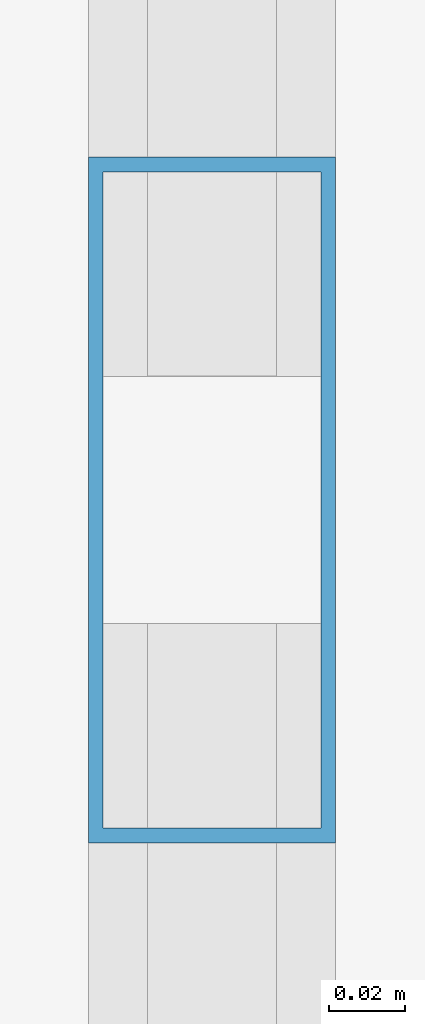
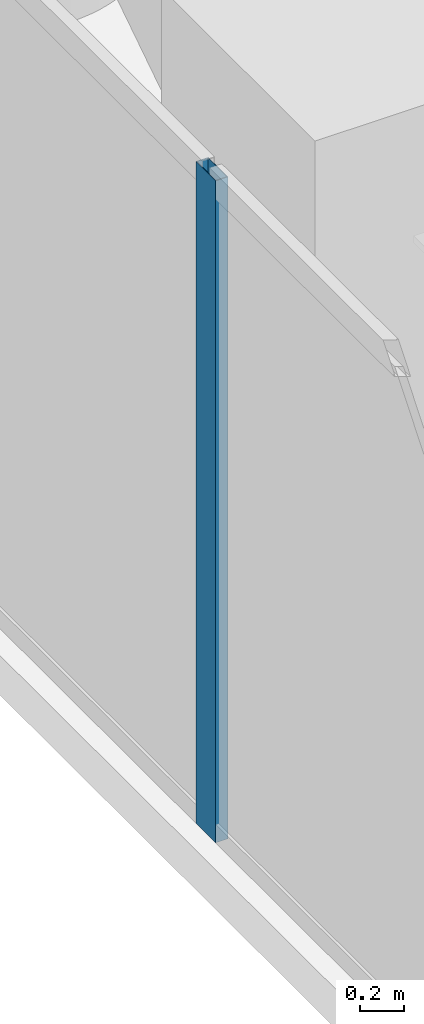
# One storey, part 13 of 31: 1 member, 1 element without a shape of its own.
"""IFC4 building model written with IfcOpenShell, lengths in metres."""

from ifc_helpers import new_model, si_unit, direction, frame, origin, origin_2d, place, context, subcontext, project, spatial, hollow_rectangle, extrude, material, layer, layer_set, material_profile, profile_set, type_object, element, aggregate, save


model = new_model("IFC4")

# Units and contexts
model_context = context("Model", 3, precision=1e-05, world=origin(), true_north=direction((0.0, 1.0)))
body_context = subcontext(model_context, "Body", "Model", "MODEL_VIEW")
ifc_project = project(units=[si_unit("LENGTHUNIT", "METRE"), si_unit("AREAUNIT", "SQUARE_METRE"), si_unit("VOLUMEUNIT", "CUBIC_METRE"), si_unit("PLANEANGLEUNIT", "RADIAN"), si_unit("MASSUNIT", "GRAM", prefix="KILO")], contexts=[model_context])

# Site, building, storey
site_placement = place(None, origin())
site = spatial("IfcSite", under=ifc_project, at=site_placement, CompositionType="ELEMENT")
building_placement = place(site_placement, origin())
building = spatial("IfcBuilding", under=site, at=building_placement, Name="Kiyonajd Concourse Tower", CompositionType="ELEMENT")
storey_placement = place(building_placement, frame((0.0, 0.0, 158.39990234375)))
storey = spatial("IfcBuildingStorey", under=building, at=storey_placement, Name="L40", CompositionType="ELEMENT", Elevation=158.39990234375)

# Curtain wall, member
ifc_material = material(Name="Thermally Broken Anodised Aluminium", Category="aluminium")
ifc_layer = layer(ifc_material, 0.179931640625)
ifc_layer_set = layer_set([ifc_layer], Name="Thermally Broken Anodised Aluminium")
curtain_wall_type = type_object("IfcCurtainWallType", Name="CW-SYS-03", PredefinedType="NOTDEFINED", material=ifc_layer_set)
curtain_wall_placement = place(storey_placement, origin())
curtain_wall = element("IfcCurtainWall", 1, at=curtain_wall_placement, inside=storey, type_object=curtain_wall_type, Name="L40 Unitised Curtain Wall CW3", PredefinedType="NOTDEFINED")
ifc_material_profile = material_profile(ifc_material, hollow_rectangle(XDim=0.06494140625, YDim=0.179931640625, WallThickness=0.00390625, at=origin_2d()), Name="MULL-65x180")
ifc_profile_set = profile_set([ifc_material_profile], Name="Thermally Broken Anodised Aluminium")
member_type = type_object("IfcMemberType", Name="MB-CW-MULL1", PredefinedType="MULLION", material=ifc_profile_set)
member_placement = place(storey_placement, frame((18.139892578125, 53.0146484375, 0.0), z_axis=(0.0, 0.0, 1.0), x_axis=(-1.0, 0.0, 0.0)))
member = element("IfcMember", 2, at=member_placement, type_object=member_type, Name="CW3 mullion 6", PredefinedType="MULLION", context=body_context, shape_type="SweptSolid", body=[
    extrude(hollow_rectangle(XDim=0.06494140625, YDim=0.179931640625, WallThickness=0.00390625, at=origin_2d()), origin(), (0.0, 0.0, 1.0), 3.68017578125),
])
aggregate(curtain_wall, [member])

save(model, "model.ifc")
